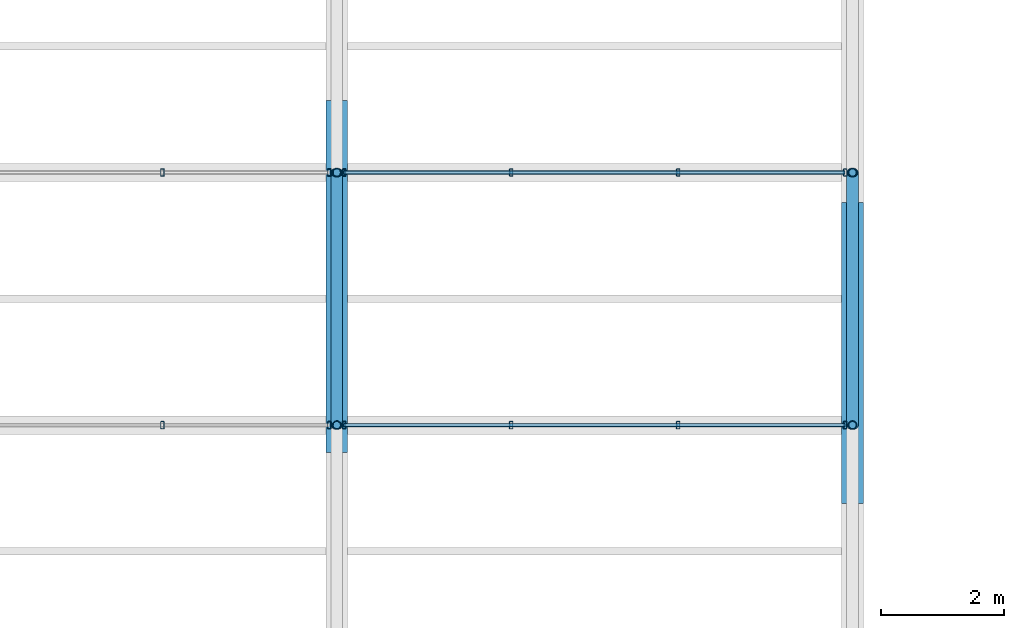
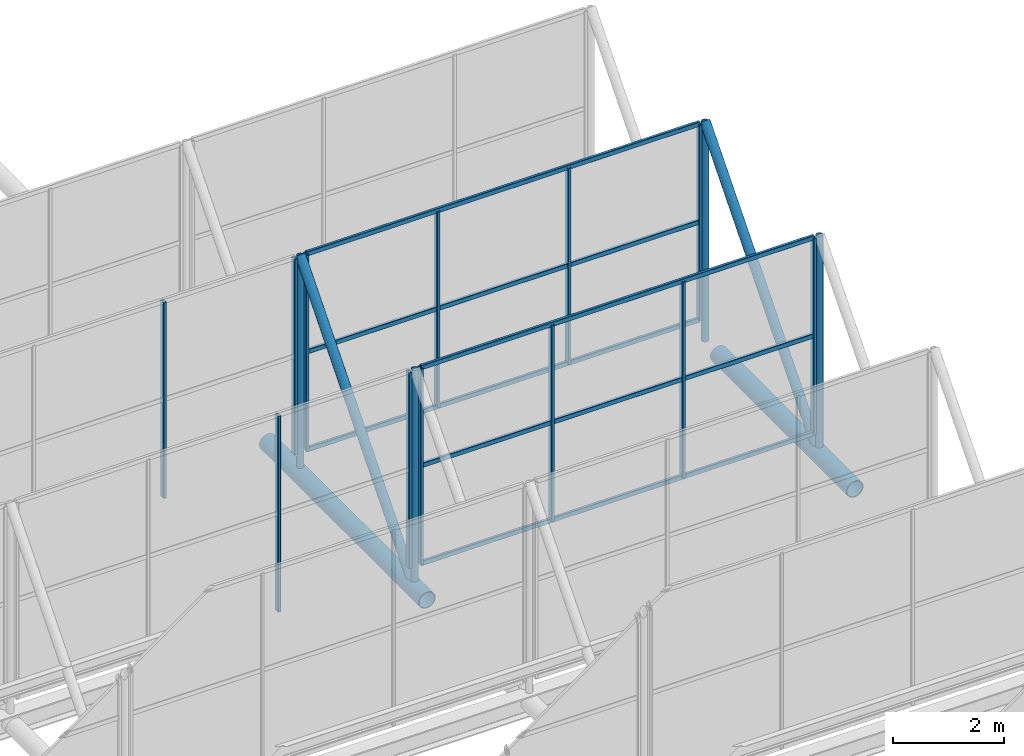
# One storey, part 45 of 77: 26 members, 4 elements without a shape of their own.
"""IFC4 building model written with IfcOpenShell, lengths in metres."""

from ifc_helpers import new_model, si_unit, derived_unit, direction, frame, origin, origin_2d, place, context, subcontext, project, spatial, hollow_rectangle, hollow_circle, extrude, material, material_profile, profile_set, type_object, element, aggregate, save


model = new_model("IFC4")

# Units and contexts
model_context = context("Model", 3, precision=1e-05, world=origin(), true_north=direction((0.0, 1.0)))
body_context = subcontext(model_context, "Body", "Model", "MODEL_VIEW")
ifc_project = project(units=[si_unit("LENGTHUNIT", "METRE"), si_unit("AREAUNIT", "SQUARE_METRE"), si_unit("VOLUMEUNIT", "CUBIC_METRE"), si_unit("PLANEANGLEUNIT", "RADIAN"), si_unit("MASSUNIT", "GRAM", prefix="KILO"), derived_unit("THERMALTRANSMITTANCEUNIT", [(si_unit("MASSUNIT", "GRAM", prefix="KILO"), 1), (si_unit("TIMEUNIT", "SECOND"), -3), (si_unit("THERMODYNAMICTEMPERATUREUNIT", "KELVIN"), -1)])], contexts=[model_context])

# Site, building, storey
site_placement = place(None, origin())
site = spatial("IfcSite", under=ifc_project, at=site_placement, CompositionType="ELEMENT")
building_placement = place(site_placement, origin())
building = spatial("IfcBuilding", under=site, at=building_placement, Name="Kharveza Railside Sports Centre", CompositionType="ELEMENT")
storey_placement = place(building_placement, frame((0.0, 0.0, 17.10009765625)))
storey = spatial("IfcBuildingStorey", under=building, at=storey_placement, Name="L04", CompositionType="ELEMENT", Elevation=17.10009765625)

# Curtain wall, members
ifc_material_1 = material(Name="Low-E solar-control laminated glass", Category="glass")
curtain_wall_type = type_object("IfcCurtainWallType", Name="CW-NL01", PredefinedType="NOTDEFINED", material=ifc_material_1)
curtain_wall_1_placement = place(storey_placement, origin())
curtain_wall_1 = element("IfcCurtainWall", 1, at=curtain_wall_1_placement, inside=storey, type_object=curtain_wall_type, Name="CW-V1NL-5-4", PredefinedType="NOTDEFINED")
ifc_material_2 = material(Name="Anodised aluminium 6063-T6", Category="aluminium")
ifc_material_profile_1 = material_profile(ifc_material_2, hollow_rectangle(XDim=0.06005859375, YDim=0.1201171875, WallThickness=0.0048828125, InnerFilletRadius=0.0048828125, OuterFilletRadius=0.010009765625, at=origin_2d()), Name="RHS 60x120x5.0")
ifc_profile_set_1 = profile_set([ifc_material_profile_1], Name="Anodised aluminium 6063-T6")
member_type_1 = type_object("IfcMemberType", Name="CW-ML05", PredefinedType="MULLION", material=ifc_profile_set_1)
member_1_placement = place(storey_placement, frame((64.360107421875, 56.5712890625, -0.550048828125), z_axis=(0.0, 0.0, 1.0), x_axis=(1.0, 0.0, 0.0)))
member_1 = element("IfcMember", 2, at=member_1_placement, type_object=member_type_1, Name="CW-V1NL-5-4-ML3", PredefinedType="MULLION", context=body_context, shape_type="SweptSolid", body=[
    extrude(hollow_rectangle(XDim=0.06005859375, YDim=0.1201171875, WallThickness=0.0048828125, InnerFilletRadius=0.0048828125, OuterFilletRadius=0.010009765625, at=origin_2d()), origin(), (0.0, 0.0, 1.0), 4.300048828125),
])
member_2_placement = place(storey_placement, frame((67.080078125, 56.5712890625, -0.550048828125), z_axis=(0.0, 0.0, 1.0), x_axis=(1.0, 0.0, 0.0)))
member_2 = element("IfcMember", 3, at=member_2_placement, type_object=member_type_1, Name="CW-V1NL-5-4-ML4", PredefinedType="MULLION", context=body_context, shape_type="SweptSolid", body=[
    extrude(hollow_rectangle(XDim=0.06005859375, YDim=0.1201171875, WallThickness=0.0048828125, InnerFilletRadius=0.0048828125, OuterFilletRadius=0.010009765625, at=origin_2d()), origin(), (0.0, 0.0, 1.0), 4.300048828125),
])
aggregate(curtain_wall_1, [member_1, member_2])

curtain_wall_2_placement = place(storey_placement, origin())
curtain_wall_2 = element("IfcCurtainWall", 4, at=curtain_wall_2_placement, inside=storey, type_object=curtain_wall_type, Name="CW-V1NL-5-5", PredefinedType="NOTDEFINED")
member_3_placement = place(storey_placement, frame((67.320068359375, 56.5712890625, -0.550048828125), z_axis=(0.0, 0.0, 1.0), x_axis=(1.0, 0.0, 0.0)))
member_3 = element("IfcMember", 5, at=member_3_placement, type_object=member_type_1, Name="CW-V1NL-5-5-ML1", PredefinedType="MULLION", context=body_context, shape_type="SweptSolid", body=[
    extrude(hollow_rectangle(XDim=0.06005859375, YDim=0.1201171875, WallThickness=0.0048828125, InnerFilletRadius=0.0048828125, OuterFilletRadius=0.010009765625, at=origin_2d()), origin(), (0.0, 0.0, 1.0), 4.300048828125),
])
member_4_placement = place(storey_placement, frame((70.0400390625, 56.5712890625, -0.550048828125), z_axis=(0.0, 0.0, 1.0), x_axis=(1.0, 0.0, 0.0)))
member_4 = element("IfcMember", 6, at=member_4_placement, type_object=member_type_1, Name="CW-V1NL-5-5-ML2", PredefinedType="MULLION", context=body_context, shape_type="SweptSolid", body=[
    extrude(hollow_rectangle(XDim=0.06005859375, YDim=0.1201171875, WallThickness=0.0048828125, InnerFilletRadius=0.0048828125, OuterFilletRadius=0.010009765625, at=origin_2d()), origin(), (0.0, 0.0, 1.0), 4.300048828125),
])
member_5_placement = place(storey_placement, frame((72.760009765625, 56.5712890625, -0.550048828125), z_axis=(0.0, 0.0, 1.0), x_axis=(1.0, 0.0, 0.0)))
member_5 = element("IfcMember", 7, at=member_5_placement, type_object=member_type_1, Name="CW-V1NL-5-5-ML3", PredefinedType="MULLION", context=body_context, shape_type="SweptSolid", body=[
    extrude(hollow_rectangle(XDim=0.06005859375, YDim=0.1201171875, WallThickness=0.0048828125, InnerFilletRadius=0.0048828125, OuterFilletRadius=0.010009765625, at=origin_2d()), origin(), (0.0, 0.0, 1.0), 4.300048828125),
])
member_6_placement = place(storey_placement, frame((75.47998046875, 56.5712890625, -0.550048828125), z_axis=(0.0, 0.0, 1.0), x_axis=(1.0, 0.0, 0.0)))
member_6 = element("IfcMember", 8, at=member_6_placement, type_object=member_type_1, Name="CW-V1NL-5-5-ML4", PredefinedType="MULLION", context=body_context, shape_type="SweptSolid", body=[
    extrude(hollow_rectangle(XDim=0.06005859375, YDim=0.1201171875, WallThickness=0.0048828125, InnerFilletRadius=0.0048828125, OuterFilletRadius=0.010009765625, at=origin_2d()), origin(), (0.0, 0.0, 1.0), 4.300048828125),
])

curtain_wall_3_placement = place(storey_placement, origin())
curtain_wall_3 = element("IfcCurtainWall", 9, at=curtain_wall_3_placement, inside=storey, type_object=curtain_wall_type, Name="CW-V1NL-6-4", PredefinedType="NOTDEFINED")
member_7_placement = place(storey_placement, frame((64.360107421875, 60.685791015625, -0.550048828125), z_axis=(0.0, 0.0, 1.0), x_axis=(1.0, 0.0, 0.0)))
member_7 = element("IfcMember", 10, at=member_7_placement, type_object=member_type_1, Name="CW-V1NL-6-4-ML3", PredefinedType="MULLION", context=body_context, shape_type="SweptSolid", body=[
    extrude(hollow_rectangle(XDim=0.06005859375, YDim=0.1201171875, WallThickness=0.0048828125, InnerFilletRadius=0.0048828125, OuterFilletRadius=0.010009765625, at=origin_2d()), origin(), (0.0, 0.0, 1.0), 4.300048828125),
])
member_8_placement = place(storey_placement, frame((67.080078125, 60.685791015625, -0.550048828125), z_axis=(0.0, 0.0, 1.0), x_axis=(1.0, 0.0, 0.0)))
member_8 = element("IfcMember", 11, at=member_8_placement, type_object=member_type_1, Name="CW-V1NL-6-4-ML4", PredefinedType="MULLION", context=body_context, shape_type="SweptSolid", body=[
    extrude(hollow_rectangle(XDim=0.06005859375, YDim=0.1201171875, WallThickness=0.0048828125, InnerFilletRadius=0.0048828125, OuterFilletRadius=0.010009765625, at=origin_2d()), origin(), (0.0, 0.0, 1.0), 4.300048828125),
])
aggregate(curtain_wall_3, [member_7, member_8])

curtain_wall_4_placement = place(storey_placement, origin())
curtain_wall_4 = element("IfcCurtainWall", 12, at=curtain_wall_4_placement, inside=storey, type_object=curtain_wall_type, Name="CW-V1NL-6-5", PredefinedType="NOTDEFINED")
member_9_placement = place(storey_placement, frame((67.320068359375, 60.685791015625, -0.550048828125), z_axis=(0.0, 0.0, 1.0), x_axis=(1.0, 0.0, 0.0)))
member_9 = element("IfcMember", 13, at=member_9_placement, type_object=member_type_1, Name="CW-V1NL-6-5-ML1", PredefinedType="MULLION", context=body_context, shape_type="SweptSolid", body=[
    extrude(hollow_rectangle(XDim=0.06005859375, YDim=0.1201171875, WallThickness=0.0048828125, InnerFilletRadius=0.0048828125, OuterFilletRadius=0.010009765625, at=origin_2d()), origin(), (0.0, 0.0, 1.0), 4.300048828125),
])
member_10_placement = place(storey_placement, frame((70.0400390625, 60.685791015625, -0.550048828125), z_axis=(0.0, 0.0, 1.0), x_axis=(1.0, 0.0, 0.0)))
member_10 = element("IfcMember", 14, at=member_10_placement, type_object=member_type_1, Name="CW-V1NL-6-5-ML2", PredefinedType="MULLION", context=body_context, shape_type="SweptSolid", body=[
    extrude(hollow_rectangle(XDim=0.06005859375, YDim=0.1201171875, WallThickness=0.0048828125, InnerFilletRadius=0.0048828125, OuterFilletRadius=0.010009765625, at=origin_2d()), origin(), (0.0, 0.0, 1.0), 4.300048828125),
])
member_11_placement = place(storey_placement, frame((72.760009765625, 60.685791015625, -0.550048828125), z_axis=(0.0, 0.0, 1.0), x_axis=(1.0, 0.0, 0.0)))
member_11 = element("IfcMember", 15, at=member_11_placement, type_object=member_type_1, Name="CW-V1NL-6-5-ML3", PredefinedType="MULLION", context=body_context, shape_type="SweptSolid", body=[
    extrude(hollow_rectangle(XDim=0.06005859375, YDim=0.1201171875, WallThickness=0.0048828125, InnerFilletRadius=0.0048828125, OuterFilletRadius=0.010009765625, at=origin_2d()), origin(), (0.0, 0.0, 1.0), 4.300048828125),
])
member_12_placement = place(storey_placement, frame((75.47998046875, 60.685791015625, -0.550048828125), z_axis=(0.0, 0.0, 1.0), x_axis=(1.0, 0.0, 0.0)))
member_12 = element("IfcMember", 16, at=member_12_placement, type_object=member_type_1, Name="CW-V1NL-6-5-ML4", PredefinedType="MULLION", context=body_context, shape_type="SweptSolid", body=[
    extrude(hollow_rectangle(XDim=0.06005859375, YDim=0.1201171875, WallThickness=0.0048828125, InnerFilletRadius=0.0048828125, OuterFilletRadius=0.010009765625, at=origin_2d()), origin(), (0.0, 0.0, 1.0), 4.300048828125),
])

# Member
ifc_material_profile_2 = material_profile(ifc_material_2, hollow_rectangle(XDim=0.06005859375, YDim=0.10009765625, WallThickness=0.00390625, InnerFilletRadius=0.00390625, OuterFilletRadius=0.008056640625, at=origin_2d()), Name="RHS 60x100x4.0")
ifc_profile_set_2 = profile_set([ifc_material_profile_2], Name="Anodised aluminium 6063-T6")
member_type_2 = type_object("IfcMemberType", Name="CW-TR05", PredefinedType="USERDEFINED", material=ifc_profile_set_2)
member_13_placement = place(storey_placement, frame((67.320068359375, 56.5712890625, -0.550048828125), z_axis=(1.0, 0.0, 0.0), x_axis=(0.0, 1.0, 0.0)))
member_13 = element("IfcMember", 17, at=member_13_placement, type_object=member_type_2, Name="CW-V1NL-5-5-TR1", ObjectType="TRANSOM", PredefinedType="USERDEFINED", context=body_context, shape_type="SweptSolid", body=[
    extrude(hollow_rectangle(XDim=0.06005859375, YDim=0.10009765625, WallThickness=0.00390625, InnerFilletRadius=0.00390625, OuterFilletRadius=0.008056640625, at=origin_2d()), origin(), (0.0, 0.0, 1.0), 8.159912109375),
])

member_14_placement = place(storey_placement, frame((67.320068359375, 56.5712890625, 1.599853515625), z_axis=(1.0, 0.0, 0.0), x_axis=(0.0, 1.0, 0.0)))
member_14 = element("IfcMember", 18, at=member_14_placement, type_object=member_type_2, Name="CW-V1NL-5-5-TR2", ObjectType="TRANSOM", PredefinedType="USERDEFINED", context=body_context, shape_type="SweptSolid", body=[
    extrude(hollow_rectangle(XDim=0.06005859375, YDim=0.10009765625, WallThickness=0.00390625, InnerFilletRadius=0.00390625, OuterFilletRadius=0.008056640625, at=origin_2d()), origin(), (0.0, 0.0, 1.0), 8.159912109375),
])

member_15_placement = place(storey_placement, frame((67.320068359375, 56.5712890625, 3.75), z_axis=(1.0, 0.0, 0.0), x_axis=(0.0, 1.0, 0.0)))
member_15 = element("IfcMember", 19, at=member_15_placement, type_object=member_type_2, Name="CW-V1NL-5-5-TR3", ObjectType="TRANSOM", PredefinedType="USERDEFINED", context=body_context, shape_type="SweptSolid", body=[
    extrude(hollow_rectangle(XDim=0.06005859375, YDim=0.10009765625, WallThickness=0.00390625, InnerFilletRadius=0.00390625, OuterFilletRadius=0.008056640625, at=origin_2d()), origin(), (0.0, 0.0, 1.0), 8.159912109375),
])

aggregate(curtain_wall_2, [member_3, member_4, member_5, member_6, member_13, member_14, member_15])

member_16_placement = place(storey_placement, frame((67.320068359375, 60.685791015625, -0.550048828125), z_axis=(1.0, 0.0, 0.0), x_axis=(0.0, 1.0, 0.0)))
member_16 = element("IfcMember", 20, at=member_16_placement, type_object=member_type_2, Name="CW-V1NL-6-5-TR1", ObjectType="TRANSOM", PredefinedType="USERDEFINED", context=body_context, shape_type="SweptSolid", body=[
    extrude(hollow_rectangle(XDim=0.06005859375, YDim=0.10009765625, WallThickness=0.00390625, InnerFilletRadius=0.00390625, OuterFilletRadius=0.008056640625, at=origin_2d()), origin(), (0.0, 0.0, 1.0), 8.159912109375),
])

member_17_placement = place(storey_placement, frame((67.320068359375, 60.685791015625, 1.599853515625), z_axis=(1.0, 0.0, 0.0), x_axis=(0.0, 1.0, 0.0)))
member_17 = element("IfcMember", 21, at=member_17_placement, type_object=member_type_2, Name="CW-V1NL-6-5-TR2", ObjectType="TRANSOM", PredefinedType="USERDEFINED", context=body_context, shape_type="SweptSolid", body=[
    extrude(hollow_rectangle(XDim=0.06005859375, YDim=0.10009765625, WallThickness=0.00390625, InnerFilletRadius=0.00390625, OuterFilletRadius=0.008056640625, at=origin_2d()), origin(), (0.0, 0.0, 1.0), 8.159912109375),
])

member_18_placement = place(storey_placement, frame((67.320068359375, 60.685791015625, 3.75), z_axis=(1.0, 0.0, 0.0), x_axis=(0.0, 1.0, 0.0)))
member_18 = element("IfcMember", 22, at=member_18_placement, type_object=member_type_2, Name="CW-V1NL-6-5-TR3", ObjectType="TRANSOM", PredefinedType="USERDEFINED", context=body_context, shape_type="SweptSolid", body=[
    extrude(hollow_rectangle(XDim=0.06005859375, YDim=0.10009765625, WallThickness=0.00390625, InnerFilletRadius=0.00390625, OuterFilletRadius=0.008056640625, at=origin_2d()), origin(), (0.0, 0.0, 1.0), 8.159912109375),
])

aggregate(curtain_wall_4, [member_9, member_10, member_11, member_12, member_16, member_17, member_18])

# Members
ifc_material_3 = material(Name="Steel S355J2", Category="steel")
ifc_material_profile_3 = material_profile(ifc_material_3, hollow_circle(Radius=0.177734375, WallThickness=0.01611328125, at=origin_2d()), Name="CHS 355.6x16.0")
ifc_profile_set_3 = profile_set([ifc_material_profile_3], Name="Steel S355J2")
member_type_3 = type_object("IfcMemberType", Name="MB-CH01", PredefinedType="CHORD", material=ifc_profile_set_3)
member_19_placement = place(storey_placement, frame((67.199951171875, 56.12890625, -1.050048828125), z_axis=(0.0, 1.0, 0.0), x_axis=(-1.0, 0.0, 0.0)))
element("IfcMember", 23, at=member_19_placement, inside=storey, type_object=member_type_3, Name="MB-V1TR-TC-5-6", PredefinedType="CHORD", context=body_context, shape_type="SweptSolid", body=[
    extrude(hollow_circle(Radius=0.177734375, WallThickness=0.01611328125, at=origin_2d()), origin(), (0.0, 0.0, 1.0), 5.728759765625),
])
member_20_placement = place(storey_placement, frame((75.60009765625, 55.296630859375, -1.050048828125), z_axis=(0.0, 1.0, 0.0), x_axis=(-1.0, 0.0, 0.0)))
element("IfcMember", 24, at=member_20_placement, inside=storey, type_object=member_type_3, Name="MB-V1TR-TC-6-6", PredefinedType="CHORD", context=body_context, shape_type="SweptSolid", body=[
    extrude(hollow_circle(Radius=0.177734375, WallThickness=0.01611328125, at=origin_2d()), origin(), (0.0, 0.0, 1.0), 4.896728515625),
])
ifc_material_profile_4 = material_profile(ifc_material_3, hollow_circle(Radius=0.096923828125, WallThickness=0.010009765625, at=origin_2d()), Name="CHS 193.7x10.0")
ifc_profile_set_4 = profile_set([ifc_material_profile_4], Name="Steel S355J2")
member_type_4 = type_object("IfcMemberType", Name="MB-ST02", PredefinedType="STRUT", material=ifc_profile_set_4)
for number, where, z_axis, x_axis, name in (
    (25, (67.199951171875, 56.5712890625, -1.050048828125), (0.0, 0.65002553535, 0.759912365601), (-1.0, 0.0, 0.0), "MB-V1SAW-RFT-6-5"),
    (26, (75.60009765625, 56.5712890625, -1.050048828125), (0.0, 0.65002553535, 0.759912365601), (-1.0, 0.0, 0.0), "MB-V1SAW-RFT-6-6"),
):
    element("IfcMember", number, at=place(storey_placement, frame(where, z_axis=z_axis, x_axis=x_axis)), inside=storey, type_object=member_type_4, Name=name, PredefinedType="STRUT", context=body_context, shape_type="SweptSolid", body=[
        extrude(hollow_circle(Radius=0.096923828125, WallThickness=0.010009765625, at=origin_2d()), origin(), (0.0, 0.0, 1.0), 6.329833984375),
    ])
ifc_material_profile_5 = material_profile(ifc_material_3, hollow_circle(Radius=0.06982421875, WallThickness=0.008056640625, at=origin_2d()), Name="CHS 139.7x8.0")
ifc_profile_set_5 = profile_set([ifc_material_profile_5], Name="Steel S355J2")
member_type_5 = type_object("IfcMemberType", Name="MB-ST04", PredefinedType="STRUT", material=ifc_profile_set_5)
for number, where, z_axis, x_axis, name in (
    (27, (67.199951171875, 56.5712890625, -1.050048828125), (0.0, 0.0, 1.0), (1.0, 0.0, 0.0), "MB-V1SAW-PST-5-5"),
    (28, (75.60009765625, 56.5712890625, -1.050048828125), (0.0, 0.0, 1.0), (1.0, 0.0, 0.0), "MB-V1SAW-PST-5-6"),
    (29, (67.199951171875, 60.685791015625, -1.050048828125), (0.0, 0.0, 1.0), (1.0, 0.0, 0.0), "MB-V1SAW-PST-6-5"),
    (30, (75.60009765625, 60.685791015625, -1.050048828125), (0.0, 0.0, 1.0), (1.0, 0.0, 0.0), "MB-V1SAW-PST-6-6"),
):
    element("IfcMember", number, at=place(storey_placement, frame(where, z_axis=z_axis, x_axis=x_axis)), inside=storey, type_object=member_type_5, Name=name, PredefinedType="STRUT", context=body_context, shape_type="SweptSolid", body=[
        extrude(hollow_circle(Radius=0.06982421875, WallThickness=0.008056640625, at=origin_2d()), origin(), (0.0, 0.0, 1.0), 4.81005859375),
    ])

save(model, "model.ifc")
